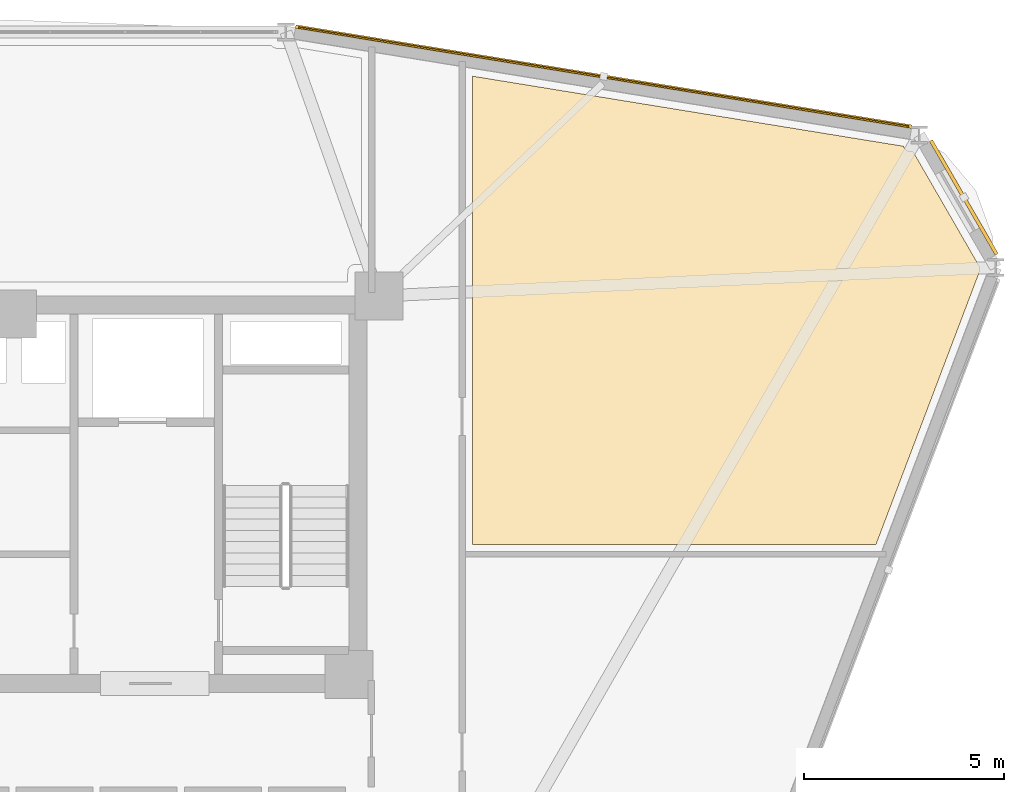
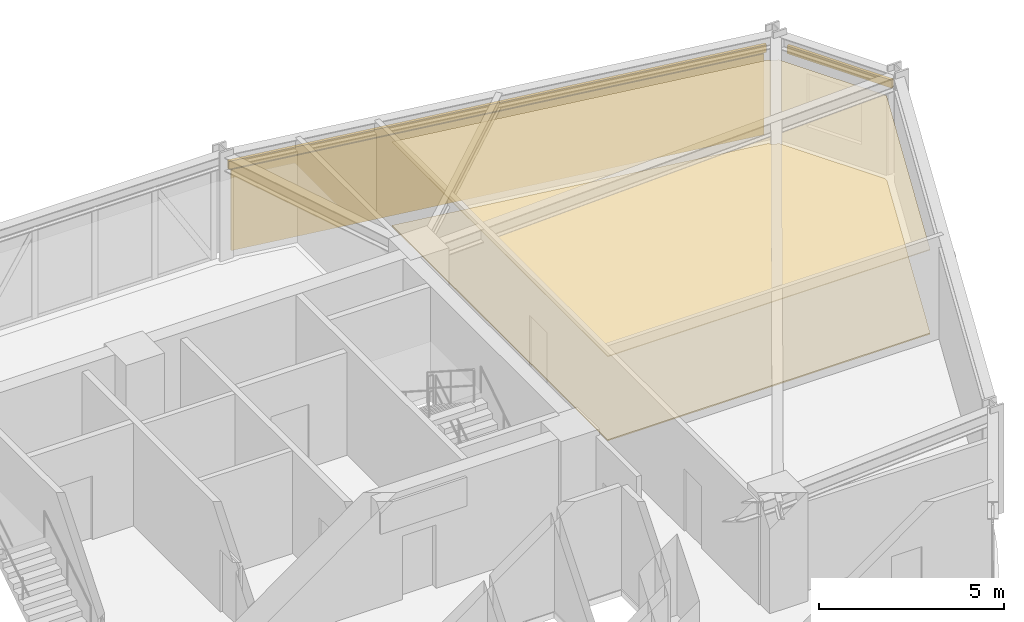
# One storey, part 17 of 17: 3 coverings, 2 shading devices.
"""IFC4 building model written with IfcOpenShell, lengths in metres."""

import ifcopenshell
import ifcopenshell.guid

model = None  # the IFC model being written
_history = None  # IfcOwnerHistory: only IFC2X3 demands one
_inside = {}  # id of a spatial element -> (the spatial element, [elements in it])
_under = {}  # id of a project, library or spatial element -> (it, [spatial elements below it])
_declared = {}  # id of a project -> (the project, [libraries it declares])
_typed = {}  # id of a type object -> (the type object, [elements of that type])
_made_of = {}  # id of a material, layer set ... -> (it, [elements and type objects made of it])


def new_model(schema):
    """Start an empty IFC model of exactly this schema.

    Asked for "IFC4X3", IfcOpenShell would pick the latest addendum, in which some entities
    have other attributes; the version numbers below select the first issue.
    IFC2X3 requires an IfcOwnerHistory on every rooted entity: one is made here for all.
    """
    global model, _history
    if schema == "IFC4X3":
        model = ifcopenshell.file(schema_version=(4, 3, 0, 0))
    else:
        model = ifcopenshell.file(schema=schema)
    _inside.clear()
    _under.clear()
    _declared.clear()
    _typed.clear()
    _made_of.clear()
    _history = None
    if model.schema == "IFC2X3":
        org = make("IfcOrganization", Name="unknown")
        user = make(
            "IfcPersonAndOrganization",
            ThePerson=make("IfcPerson", FamilyName="unknown"),
            TheOrganization=org,
        )
        app = make(
            "IfcApplication",
            ApplicationDeveloper=org,
            Version="unknown",
            ApplicationFullName="unknown",
            ApplicationIdentifier="unknown",
        )
        _history = make(
            "IfcOwnerHistory",
            OwningUser=user,
            OwningApplication=app,
            ChangeAction="ADDED",
            CreationDate=0,
        )
    return model


def make(cls, **values):
    """One entity of the class cls with the attributes given. An attribute that is None is left unset."""
    return model.create_entity(
        cls, **{name: value for name, value in values.items() if value is not None}
    )


def rooted(cls, **values):
    """An entity with a GlobalId (a new one), such as an element, a storey or a relation."""
    return make(cls, GlobalId=ifcopenshell.guid.new(), OwnerHistory=_history, **values)


def si_unit(unit_type, name, prefix=None):
    """IfcSIUnit, for example si_unit("LENGTHUNIT", "METRE", prefix="MILLI")."""
    return make("IfcSIUnit", UnitType=unit_type, Prefix=prefix, Name=name)


def derived_unit(unit_type, elements):
    """IfcDerivedUnit: a product of units, each with its exponent."""
    return make(
        "IfcDerivedUnit",
        Elements=[
            make("IfcDerivedUnitElement", Unit=unit, Exponent=power)
            for unit, power in elements
        ],
        UnitType=unit_type,
    )


def assignment(units):
    """IfcUnitAssignment: the units of a project."""
    return None if units is None else make("IfcUnitAssignment", Units=units)


def point(xyz):
    """IfcCartesianPoint."""
    return None if xyz is None else make("IfcCartesianPoint", Coordinates=xyz)


def direction(xyz):
    """IfcDirection."""
    return None if xyz is None else make("IfcDirection", DirectionRatios=xyz)


def frame(location, z_axis=None, x_axis=None):
    """IfcAxis2Placement3D, a coordinate frame: its origin and axes. An axis left out is left unset."""
    return make(
        "IfcAxis2Placement3D",
        Location=point(location),
        Axis=direction(z_axis),
        RefDirection=direction(x_axis),
    )


def frame_2d(location, x_axis=None):
    """IfcAxis2Placement2D, a coordinate frame in the plane: its origin and x axis."""
    return make(
        "IfcAxis2Placement2D", Location=point(location), RefDirection=direction(x_axis)
    )


def origin():
    """The frame at (0, 0, 0) with its axes left unset."""
    return frame((0.0, 0.0, 0.0))


def origin_2d():
    """The frame at (0, 0) in the plane with its x axis left unset."""
    return frame_2d((0.0, 0.0))


def place(relative_to, where):
    """IfcLocalPlacement: puts the frame where relative to a parent placement (None: the world)."""
    return make(
        "IfcLocalPlacement", PlacementRelTo=relative_to, RelativePlacement=where
    )


def context(
    kind, dimensions, precision=None, world=None, true_north=None, identifier=None
):
    """IfcGeometricRepresentationContext, for example the 3D "Model" context."""
    return make(
        "IfcGeometricRepresentationContext",
        ContextIdentifier=identifier,
        ContextType=kind,
        CoordinateSpaceDimension=dimensions,
        Precision=precision,
        WorldCoordinateSystem=world,
        TrueNorth=true_north,
    )


def subcontext(parent, identifier, kind, view, scale=None):
    """IfcGeometricRepresentationSubContext, for example "Body" below "Model"."""
    return make(
        "IfcGeometricRepresentationSubContext",
        ContextIdentifier=identifier,
        ContextType=kind,
        ParentContext=parent,
        TargetScale=scale,
        TargetView=view,
    )


def project(units=None, contexts=None):
    """IfcProject with its units and contexts."""
    return rooted(
        "IfcProject",
        Name="project",
        RepresentationContexts=contexts,
        UnitsInContext=assignment(units),
    )


def spatial(cls, under=None, at=None, **own):
    """A site, building, storey or space (cls), placed at a placement, below another one or the project."""
    s = rooted(cls, ObjectPlacement=at, **own)
    if under is not None:
        _under.setdefault(under.id(), (under, []))[1].append(s)
    return s


def polyline(points):
    """IfcPolyline through the points."""
    return make("IfcPolyline", Points=[point(p) for p in points])


def profile(cls, at=None, kind="AREA", **sizes):
    """A parametric profile (cls). Its sizes go by their IFC names, for example OverallWidth=200.0."""
    return make(cls, ProfileType=kind, Position=at, **sizes)


def hollow_rectangle(**sizes):
    """IfcRectangleHollowProfileDef."""
    return profile("IfcRectangleHollowProfileDef", **sizes)


def outline(outer, holes=None, kind="AREA"):
    """IfcArbitraryClosedProfileDef: a profile drawn as a closed curve; with holes, ...WithVoids."""
    if holes is None:
        return make("IfcArbitraryClosedProfileDef", ProfileType=kind, OuterCurve=outer)
    return make(
        "IfcArbitraryProfileDefWithVoids",
        ProfileType=kind,
        OuterCurve=outer,
        InnerCurves=holes,
    )


def extrude(swept, where, along, depth):
    """IfcExtrudedAreaSolid: the profile swept, set in the frame where, extruded along a direction by depth."""
    return make(
        "IfcExtrudedAreaSolid",
        SweptArea=swept,
        Position=where,
        ExtrudedDirection=direction(along),
        Depth=depth,
    )


def shape(context_of_items, identifier, shape_type, items):
    """IfcShapeRepresentation: the items that make up one representation, for example the "Body"."""
    return make(
        "IfcShapeRepresentation",
        ContextOfItems=context_of_items,
        RepresentationIdentifier=identifier,
        RepresentationType=shape_type,
        Items=items,
    )


def source(mapping_origin, context_of_items, identifier, shape_type, items):
    """IfcRepresentationMap: a shape defined once, which mapped items show again and again."""
    return make(
        "IfcRepresentationMap",
        MappingOrigin=mapping_origin,
        MappedRepresentation=shape(context_of_items, identifier, shape_type, items),
    )


def transform(
    local_origin,
    x_axis=None,
    y_axis=None,
    z_axis=None,
    scale=None,
    scale2=None,
    scale3=None,
    uniform=True,
):
    """IfcCartesianTransformationOperator3D, or its non-uniform kind. x_axis, y_axis, z_axis: its Axis1, 2, 3."""
    if uniform:
        return make(
            "IfcCartesianTransformationOperator3D",
            Axis1=direction(x_axis),
            Axis2=direction(y_axis),
            LocalOrigin=point(local_origin),
            Scale=scale,
            Axis3=direction(z_axis),
        )
    return make(
        "IfcCartesianTransformationOperator3DnonUniform",
        Axis1=direction(x_axis),
        Axis2=direction(y_axis),
        LocalOrigin=point(local_origin),
        Scale=scale,
        Axis3=direction(z_axis),
        Scale2=scale2,
        Scale3=scale3,
    )


def mapped(mapping_source, mapping_target):
    """IfcMappedItem: shows the shape of a source again, moved by a transform."""
    return make(
        "IfcMappedItem", MappingSource=mapping_source, MappingTarget=mapping_target
    )


def material(Name=None, Category=None):
    """IfcMaterial."""
    return make("IfcMaterial", Name=Name, Category=Category)


def layer(
    of_material, thickness, ventilated=None, Name=None, Category=None, Priority=None
):
    """IfcMaterialLayer: one layer of a wall or slab, of a material (None: an air gap)."""
    return make(
        "IfcMaterialLayer",
        Material=of_material,
        LayerThickness=thickness,
        IsVentilated=ventilated,
        Name=Name,
        Category=Category,
        Priority=Priority,
    )


def layer_set(layers, Name=None):
    """IfcMaterialLayerSet."""
    return make("IfcMaterialLayerSet", MaterialLayers=layers, LayerSetName=Name)


def material_profile(
    of_material, cross_section, Name=None, Category=None, Priority=None
):
    """IfcMaterialProfile: a cross section and its material."""
    return make(
        "IfcMaterialProfile",
        Name=Name,
        Material=of_material,
        Profile=cross_section,
        Priority=Priority,
        Category=Category,
    )


def profile_set(profiles, Name=None, composite=None):
    """IfcMaterialProfileSet."""
    return make(
        "IfcMaterialProfileSet",
        Name=Name,
        MaterialProfiles=profiles,
        CompositeProfile=composite,
    )


def made_of(thing, what):
    """Note that an element or type object is made of a material, layer set ...; save() writes the relation."""
    if what is not None:
        _made_of.setdefault(what.id(), (what, []))[1].append(thing)
    return thing


def type_object(cls, material=None, **own):
    """A type object (cls), such as IfcWallType, which elements share."""
    return made_of(rooted(cls, **own), material)


def element(
    cls,
    number,
    at=None,
    inside=None,
    cuts=None,
    type_object=None,
    material=None,
    context=None,
    identifier="Body",
    shape_type=None,
    held_by="IfcProductDefinitionShape",
    body=None,
    shapes=None,
    **own,
):
    """One element of the class cls, such as IfcWall. Its Tag is "e" and its number.

    at: its placement. inside: the storey or other place that contains it. cuts: it is an
    opening in that element (IfcRelVoidsElement). A single representation is given by context,
    identifier, shape_type and body (its items); several are given by shapes. held_by: the class
    of the entity that holds the representations. save() writes the other relations.
    """
    e = rooted(cls, Tag="e%d" % number, ObjectPlacement=at, **own)
    if body is not None:
        shapes = [shape(context, identifier, shape_type, body)]
    if shapes is not None:
        e.Representation = make(held_by, Representations=shapes)
    if inside is not None:
        _inside.setdefault(inside.id(), (inside, []))[1].append(e)
    if cuts is not None:
        rooted(
            "IfcRelVoidsElement", RelatingBuildingElement=cuts, RelatedOpeningElement=e
        )
    if type_object is not None:
        _typed.setdefault(type_object.id(), (type_object, []))[1].append(e)
    return made_of(e, material)


def aggregate(whole, parts):
    """IfcRelAggregates: a whole, such as a stair, and the parts it consists of."""
    return rooted("IfcRelAggregates", RelatingObject=whole, RelatedObjects=parts)


def save(model, path):
    """Write the relations noted so far, then the file.

    IfcRelAggregates (storeys below a building ...), IfcRelContainedInSpatialStructure (elements
    in a storey), IfcRelDefinesByType, IfcRelAssociatesMaterial and IfcRelDeclares: one each for
    every whole, place, type object, material and project.
    """
    for whole, parts in _under.values():
        aggregate(whole, parts)
    for where, things in _inside.values():
        rooted(
            "IfcRelContainedInSpatialStructure",
            RelatedElements=things,
            RelatingStructure=where,
        )
    for kind, things in _typed.values():
        rooted("IfcRelDefinesByType", RelatedObjects=things, RelatingType=kind)
    for what, things in _made_of.values():
        rooted("IfcRelAssociatesMaterial", RelatedObjects=things, RelatingMaterial=what)
    for by, libraries in _declared.values():
        rooted("IfcRelDeclares", RelatingContext=by, RelatedDefinitions=libraries)
    model.write(path)


model = new_model("IFC4")

# Units and contexts
model_context = context("Model", 3, precision=1e-05, world=origin(), true_north=direction((0.0, 1.0)))
body_context = subcontext(model_context, "Body", "Model", "MODEL_VIEW")
ifc_project = project(units=[si_unit("LENGTHUNIT", "METRE"), si_unit("AREAUNIT", "SQUARE_METRE"), si_unit("VOLUMEUNIT", "CUBIC_METRE"), si_unit("PLANEANGLEUNIT", "RADIAN"), si_unit("MASSUNIT", "GRAM", prefix="KILO"), derived_unit("THERMALTRANSMITTANCEUNIT", [(si_unit("POWERUNIT", "WATT"), 1), (si_unit("LENGTHUNIT", "METRE"), -2), (si_unit("THERMODYNAMICTEMPERATUREUNIT", "KELVIN"), -1)])], contexts=[model_context])

# Site, building, storey
site_placement = place(None, origin())
site = spatial("IfcSite", under=ifc_project, at=site_placement, CompositionType="ELEMENT")
building_placement = place(site_placement, origin())
building = spatial("IfcBuilding", under=site, at=building_placement, Name="Korsvarv Bourse and Concert Hall", CompositionType="ELEMENT")
storey_placement = place(building_placement, frame((0.0, 0.0, 120.60009765625)))
storey = spatial("IfcBuildingStorey", under=building, at=storey_placement, Name="L30", CompositionType="ELEMENT", Elevation=120.60009765625)

# Coverings
ifc_material_1 = material(Name="Perforated mineral-wool and birch acoustic baffle ceiling", Category="wood")
ifc_layer_1 = layer(ifc_material_1, 0.02490234375)
ifc_layer_set_1 = layer_set([ifc_layer_1], Name="Perforated mineral-wool and birch acoustic baffle ceiling")
covering_type_1 = type_object("IfcCoveringType", Name="COV-CEIL-1", PredefinedType="CEILING", material=ifc_layer_set_1)
covering_1_placement = place(storey_placement, frame((0.0, 0.0, 2.77978515625)))
element("IfcCovering", 1, at=covering_1_placement, inside=storey, type_object=covering_type_1, Name="L30 acoustic baffle ceiling 1", PredefinedType="CEILING", context=body_context, shape_type="SweptSolid", body=[
    extrude(outline(polyline([(58.242919921875, 50.98974609375), (58.257080078125, 50.956298828125), (58.27783203125, 50.926513671875), (58.303955078125, 50.901611328125), (58.334716796875, 50.882080078125), (58.368408203125, 50.869384765625), (58.404296875, 50.863525390625), (58.478759765625, 50.859375), (60.142822265625, 47.977294921875), (60.142822265625, 47.872802734375), (57.555908203125, 41.050048828125), (47.47998046875, 41.050048828125), (47.47998046875, 52.739990234375), (58.242919921875, 50.98974609375)])), origin(), (0.0, 0.0, 1.0), 0.025146484375),
])
ifc_material_2 = material(Name="Warm iron-oxide extruded terracotta rainscreen tile", Category="ceramic")
ifc_layer_2 = layer(ifc_material_2, 0.044921875)
ifc_layer_set_2 = layer_set([ifc_layer_2], Name="Warm iron-oxide extruded terracotta rainscreen tile")
covering_type_2 = type_object("IfcCoveringType", Name="COV-CLD-TC", PredefinedType="CLADDING", material=ifc_layer_set_2)
covering_2_placement = place(storey_placement, origin())
element("IfcCovering", 2, at=covering_2_placement, inside=storey, type_object=covering_type_2, Name="L30 fluted terracotta cladding panel EW-L30-B02", PredefinedType="CLADDING", context=body_context, shape_type="SweptSolid", body=[
    extrude(outline(polyline([(58.362548828125, 51.45166015625), (43.141357421875, 53.9267578125), (43.148681640625, 53.97119140625), (58.36962890625, 51.49609375), (58.362548828125, 51.45166015625)])), origin(), (0.0, 0.0, 1.0), 2.679931640625),
])
ifc_material_3 = material(Name="Calcium-sulphate raised access trading floor with Nordic oak top", Category="wood")
ifc_layer_3 = layer(ifc_material_3, 0.0400390625)
ifc_layer_set_3 = layer_set([ifc_layer_3], Name="Calcium-sulphate raised access trading floor with Nordic oak top")
covering_type_3 = type_object("IfcCoveringType", Name="COV-FLOR-1", PredefinedType="FLOORING", material=ifc_layer_set_3)
covering_3_placement = place(storey_placement, origin())
element("IfcCovering", 3, at=covering_3_placement, inside=storey, type_object=covering_type_3, Name="L30 raised access oak floor finish 1", PredefinedType="FLOORING", context=body_context, shape_type="SweptSolid", body=[
    extrude(outline(polyline([(58.242919921875, 50.98974609375), (58.257080078125, 50.956298828125), (58.27783203125, 50.926513671875), (58.303955078125, 50.901611328125), (58.334716796875, 50.882080078125), (58.368408203125, 50.869384765625), (58.404296875, 50.863525390625), (58.478759765625, 50.859375), (60.142822265625, 47.977294921875), (60.142822265625, 47.872802734375), (57.555908203125, 41.050048828125), (47.47998046875, 41.050048828125), (47.47998046875, 52.739990234375), (58.242919921875, 50.98974609375)])), origin(), (0.0, 0.0, 1.0), 0.039794921875),
])

# Shading devices
ifc_material_4 = material(Name="Glazed extruded architectural terracotta", Category="ceramic")
ifc_material_profile = material_profile(ifc_material_4, hollow_rectangle(XDim=0.090087890625, YDim=0.260009765625, WallThickness=0.011962890625, at=origin_2d()), Name="TC-BAG 90x260")
ifc_profile_set = profile_set([ifc_material_profile], Name="Glazed extruded architectural terracotta")
shading_device_type = type_object("IfcShadingDeviceType", Name="SHD-BAG-1", PredefinedType="USERDEFINED", material=ifc_profile_set)
shared_shape_1 = source(origin(), body_context, "Body", "SweptSolid", [
    extrude(hollow_rectangle(XDim=0.090087890625, YDim=0.260009765625, WallThickness=0.011962890625, at=origin_2d()), origin(), (0.0, 0.0, 1.0), 3.279296875),
])
shading_device_1_placement = place(storey_placement, frame((60.56787109375, 48.291015625, 2.83984375), z_axis=(-0.500014611105, 0.866016967894, 0.0), x_axis=(-0.866016967894, -0.500014611105, 0.0)))
element("IfcShadingDevice", 4, at=shading_device_1_placement, inside=storey, type_object=shading_device_type, Name="L30 terracotta baguette sunshade EW-L30-B01", ObjectType="BAGUETTE", PredefinedType="USERDEFINED", context=body_context, shape_type="MappedRepresentation", body=[
    mapped(shared_shape_1, transform((0.0, 0.0, 0.0), scale=1.0)),
])
shared_shape_2 = source(origin(), body_context, "Body", "SweptSolid", [
    extrude(hollow_rectangle(XDim=0.090087890625, YDim=0.260009765625, WallThickness=0.011962890625, at=origin_2d()), origin(), (0.0, 0.0, 1.0), 15.5810546875),
])
shading_device_2_placement = place(storey_placement, frame((58.447998046875, 51.478271484375, 2.83984375), z_axis=(-0.987036263752, 0.160497395736, 0.0), x_axis=(-0.160497395736, -0.987036263752, 0.0)))
element("IfcShadingDevice", 5, at=shading_device_2_placement, inside=storey, type_object=shading_device_type, Name="L30 terracotta baguette sunshade EW-L30-B02", ObjectType="BAGUETTE", PredefinedType="USERDEFINED", context=body_context, shape_type="MappedRepresentation", body=[
    mapped(shared_shape_2, transform((0.0, 0.0, 0.0), scale=1.0)),
])

save(model, "model.ifc")
